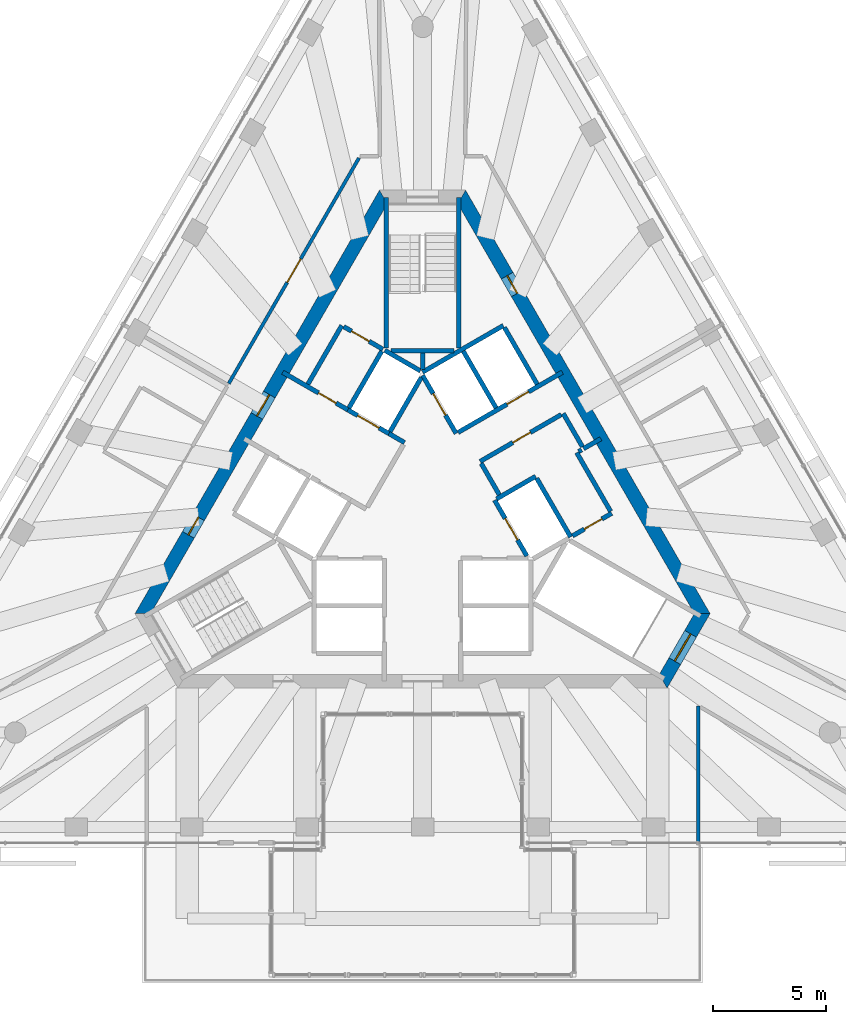
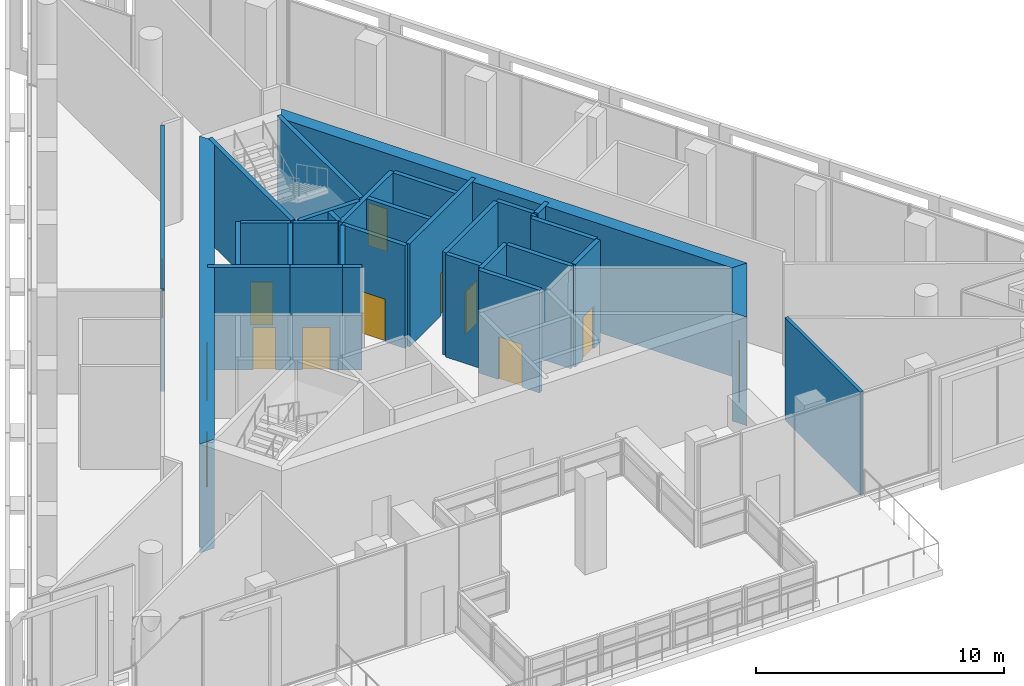
# One storey, part 13 of 17: 32 walls, 13 doors, 13 openings.
"""IFC4 building model written with IfcOpenShell, lengths in metres."""

import ifcopenshell
import ifcopenshell.guid

model = None  # the IFC model being written
_history = None  # IfcOwnerHistory: only IFC2X3 demands one
_inside = {}  # id of a spatial element -> (the spatial element, [elements in it])
_under = {}  # id of a project, library or spatial element -> (it, [spatial elements below it])
_declared = {}  # id of a project -> (the project, [libraries it declares])
_typed = {}  # id of a type object -> (the type object, [elements of that type])
_made_of = {}  # id of a material, layer set ... -> (it, [elements and type objects made of it])


def new_model(schema):
    """Start an empty IFC model of exactly this schema.

    Asked for "IFC4X3", IfcOpenShell would pick the latest addendum, in which some entities
    have other attributes; the version numbers below select the first issue.
    IFC2X3 requires an IfcOwnerHistory on every rooted entity: one is made here for all.
    """
    global model, _history
    if schema == "IFC4X3":
        model = ifcopenshell.file(schema_version=(4, 3, 0, 0))
    else:
        model = ifcopenshell.file(schema=schema)
    _inside.clear()
    _under.clear()
    _declared.clear()
    _typed.clear()
    _made_of.clear()
    _history = None
    if model.schema == "IFC2X3":
        org = make("IfcOrganization", Name="unknown")
        user = make(
            "IfcPersonAndOrganization",
            ThePerson=make("IfcPerson", FamilyName="unknown"),
            TheOrganization=org,
        )
        app = make(
            "IfcApplication",
            ApplicationDeveloper=org,
            Version="unknown",
            ApplicationFullName="unknown",
            ApplicationIdentifier="unknown",
        )
        _history = make(
            "IfcOwnerHistory",
            OwningUser=user,
            OwningApplication=app,
            ChangeAction="ADDED",
            CreationDate=0,
        )
    return model


def make(cls, **values):
    """One entity of the class cls with the attributes given. An attribute that is None is left unset."""
    return model.create_entity(
        cls, **{name: value for name, value in values.items() if value is not None}
    )


def rooted(cls, **values):
    """An entity with a GlobalId (a new one), such as an element, a storey or a relation."""
    return make(cls, GlobalId=ifcopenshell.guid.new(), OwnerHistory=_history, **values)


def si_unit(unit_type, name, prefix=None):
    """IfcSIUnit, for example si_unit("LENGTHUNIT", "METRE", prefix="MILLI")."""
    return make("IfcSIUnit", UnitType=unit_type, Prefix=prefix, Name=name)


def assignment(units):
    """IfcUnitAssignment: the units of a project."""
    return None if units is None else make("IfcUnitAssignment", Units=units)


def point(xyz):
    """IfcCartesianPoint."""
    return None if xyz is None else make("IfcCartesianPoint", Coordinates=xyz)


def direction(xyz):
    """IfcDirection."""
    return None if xyz is None else make("IfcDirection", DirectionRatios=xyz)


def frame(location, z_axis=None, x_axis=None):
    """IfcAxis2Placement3D, a coordinate frame: its origin and axes. An axis left out is left unset."""
    return make(
        "IfcAxis2Placement3D",
        Location=point(location),
        Axis=direction(z_axis),
        RefDirection=direction(x_axis),
    )


def frame_2d(location, x_axis=None):
    """IfcAxis2Placement2D, a coordinate frame in the plane: its origin and x axis."""
    return make(
        "IfcAxis2Placement2D", Location=point(location), RefDirection=direction(x_axis)
    )


def origin():
    """The frame at (0, 0, 0) with its axes left unset."""
    return frame((0.0, 0.0, 0.0))


def place(relative_to, where):
    """IfcLocalPlacement: puts the frame where relative to a parent placement (None: the world)."""
    return make(
        "IfcLocalPlacement", PlacementRelTo=relative_to, RelativePlacement=where
    )


def context(
    kind, dimensions, precision=None, world=None, true_north=None, identifier=None
):
    """IfcGeometricRepresentationContext, for example the 3D "Model" context."""
    return make(
        "IfcGeometricRepresentationContext",
        ContextIdentifier=identifier,
        ContextType=kind,
        CoordinateSpaceDimension=dimensions,
        Precision=precision,
        WorldCoordinateSystem=world,
        TrueNorth=true_north,
    )


def subcontext(parent, identifier, kind, view, scale=None):
    """IfcGeometricRepresentationSubContext, for example "Body" below "Model"."""
    return make(
        "IfcGeometricRepresentationSubContext",
        ContextIdentifier=identifier,
        ContextType=kind,
        ParentContext=parent,
        TargetScale=scale,
        TargetView=view,
    )


def project(units=None, contexts=None):
    """IfcProject with its units and contexts."""
    return rooted(
        "IfcProject",
        Name="project",
        RepresentationContexts=contexts,
        UnitsInContext=assignment(units),
    )


def spatial(cls, under=None, at=None, **own):
    """A site, building, storey or space (cls), placed at a placement, below another one or the project."""
    s = rooted(cls, ObjectPlacement=at, **own)
    if under is not None:
        _under.setdefault(under.id(), (under, []))[1].append(s)
    return s


def polyline(points):
    """IfcPolyline through the points."""
    return make("IfcPolyline", Points=[point(p) for p in points])


def profile(cls, at=None, kind="AREA", **sizes):
    """A parametric profile (cls). Its sizes go by their IFC names, for example OverallWidth=200.0."""
    return make(cls, ProfileType=kind, Position=at, **sizes)


def rectangle(**sizes):
    """IfcRectangleProfileDef."""
    return profile("IfcRectangleProfileDef", **sizes)


def outline(outer, holes=None, kind="AREA"):
    """IfcArbitraryClosedProfileDef: a profile drawn as a closed curve; with holes, ...WithVoids."""
    if holes is None:
        return make("IfcArbitraryClosedProfileDef", ProfileType=kind, OuterCurve=outer)
    return make(
        "IfcArbitraryProfileDefWithVoids",
        ProfileType=kind,
        OuterCurve=outer,
        InnerCurves=holes,
    )


def extrude(swept, where, along, depth):
    """IfcExtrudedAreaSolid: the profile swept, set in the frame where, extruded along a direction by depth."""
    return make(
        "IfcExtrudedAreaSolid",
        SweptArea=swept,
        Position=where,
        ExtrudedDirection=direction(along),
        Depth=depth,
    )


def shape(context_of_items, identifier, shape_type, items):
    """IfcShapeRepresentation: the items that make up one representation, for example the "Body"."""
    return make(
        "IfcShapeRepresentation",
        ContextOfItems=context_of_items,
        RepresentationIdentifier=identifier,
        RepresentationType=shape_type,
        Items=items,
    )


def material(Name=None, Category=None):
    """IfcMaterial."""
    return make("IfcMaterial", Name=Name, Category=Category)


def layer(
    of_material, thickness, ventilated=None, Name=None, Category=None, Priority=None
):
    """IfcMaterialLayer: one layer of a wall or slab, of a material (None: an air gap)."""
    return make(
        "IfcMaterialLayer",
        Material=of_material,
        LayerThickness=thickness,
        IsVentilated=ventilated,
        Name=Name,
        Category=Category,
        Priority=Priority,
    )


def layer_set(layers, Name=None):
    """IfcMaterialLayerSet."""
    return make("IfcMaterialLayerSet", MaterialLayers=layers, LayerSetName=Name)


def made_of(thing, what):
    """Note that an element or type object is made of a material, layer set ...; save() writes the relation."""
    if what is not None:
        _made_of.setdefault(what.id(), (what, []))[1].append(thing)
    return thing


def type_object(cls, material=None, **own):
    """A type object (cls), such as IfcWallType, which elements share."""
    return made_of(rooted(cls, **own), material)


def element(
    cls,
    number,
    at=None,
    inside=None,
    cuts=None,
    type_object=None,
    material=None,
    context=None,
    identifier="Body",
    shape_type=None,
    held_by="IfcProductDefinitionShape",
    body=None,
    shapes=None,
    **own,
):
    """One element of the class cls, such as IfcWall. Its Tag is "e" and its number.

    at: its placement. inside: the storey or other place that contains it. cuts: it is an
    opening in that element (IfcRelVoidsElement). A single representation is given by context,
    identifier, shape_type and body (its items); several are given by shapes. held_by: the class
    of the entity that holds the representations. save() writes the other relations.
    """
    e = rooted(cls, Tag="e%d" % number, ObjectPlacement=at, **own)
    if body is not None:
        shapes = [shape(context, identifier, shape_type, body)]
    if shapes is not None:
        e.Representation = make(held_by, Representations=shapes)
    if inside is not None:
        _inside.setdefault(inside.id(), (inside, []))[1].append(e)
    if cuts is not None:
        rooted(
            "IfcRelVoidsElement", RelatingBuildingElement=cuts, RelatedOpeningElement=e
        )
    if type_object is not None:
        _typed.setdefault(type_object.id(), (type_object, []))[1].append(e)
    return made_of(e, material)


def fill(opening, filler):
    """IfcRelFillsElement: the door or window that sits in an opening."""
    return rooted(
        "IfcRelFillsElement",
        RelatingOpeningElement=opening,
        RelatedBuildingElement=filler,
    )


def aggregate(whole, parts):
    """IfcRelAggregates: a whole, such as a stair, and the parts it consists of."""
    return rooted("IfcRelAggregates", RelatingObject=whole, RelatedObjects=parts)


def save(model, path):
    """Write the relations noted so far, then the file.

    IfcRelAggregates (storeys below a building ...), IfcRelContainedInSpatialStructure (elements
    in a storey), IfcRelDefinesByType, IfcRelAssociatesMaterial and IfcRelDeclares: one each for
    every whole, place, type object, material and project.
    """
    for whole, parts in _under.values():
        aggregate(whole, parts)
    for where, things in _inside.values():
        rooted(
            "IfcRelContainedInSpatialStructure",
            RelatedElements=things,
            RelatingStructure=where,
        )
    for kind, things in _typed.values():
        rooted("IfcRelDefinesByType", RelatedObjects=things, RelatingType=kind)
    for what, things in _made_of.values():
        rooted("IfcRelAssociatesMaterial", RelatedObjects=things, RelatingMaterial=what)
    for by, libraries in _declared.values():
        rooted("IfcRelDeclares", RelatingContext=by, RelatedDefinitions=libraries)
    model.write(path)


model = new_model("IFC4")

# Units and contexts
model_context = context("Model", 3, precision=1e-05, world=origin(), true_north=direction((0.0, 1.0)))
body_context = subcontext(model_context, "Body", "Model", "MODEL_VIEW")
ifc_project = project(units=[si_unit("LENGTHUNIT", "METRE"), si_unit("AREAUNIT", "SQUARE_METRE"), si_unit("VOLUMEUNIT", "CUBIC_METRE"), si_unit("PLANEANGLEUNIT", "RADIAN"), si_unit("MASSUNIT", "GRAM", prefix="KILO")], contexts=[model_context])

# Site, building, storey
site_placement = place(None, origin())
site = spatial("IfcSite", under=ifc_project, at=site_placement, CompositionType="ELEMENT")
building_placement = place(site_placement, origin())
building = spatial("IfcBuilding", under=site, at=building_placement, Name="Triada Interchange Tower", CompositionType="ELEMENT")
storey_placement = place(building_placement, frame((0.0, 0.0, 322.300048828125)))
storey = spatial("IfcBuildingStorey", under=building, at=storey_placement, Name="L77", CompositionType="ELEMENT", Elevation=322.300048828125)

# Wall
ifc_material_1 = material(Name="Concrete C30/37", Category="concrete")
ifc_layer_1 = layer(ifc_material_1, 0.199951171875)
ifc_layer_set_1 = layer_set([ifc_layer_1], Name="CORE WALL 200 EI 120")
wall_type_1 = type_object("IfcWallType", Name="CORE WALL 200 EI 120", PredefinedType="SOLIDWALL", material=ifc_layer_set_1)
wall_1_placement = place(storey_placement, frame((-0.001953125, 5.5419921875, 0.0), z_axis=(0.0, 0.0, 1.0), x_axis=(0.866103910842, 0.499863997127, 0.0)))
element("IfcWall", 1, at=wall_1_placement, inside=storey, type_object=wall_type_1, Name="Wall L77 34", PredefinedType="SOLIDWALL", context=body_context, shape_type="SweptSolid", body=[
    extrude(rectangle(XDim=4.131103515625, YDim=0.199951171875, at=frame_2d((2.0654296875, 0.0))), origin(), (0.0, 0.0, 1.0), 5.050048828125),
])

# Wall, opening, door
wall_2_placement = place(storey_placement, frame((0.0, 5.39990234375, 0.0), z_axis=(0.0, 0.0, 1.0), x_axis=(0.500103862429, -0.865965430478, 0.0)))
wall_2 = element("IfcWall", 2, at=wall_2_placement, inside=storey, type_object=wall_type_1, Name="Wall L77 35", PredefinedType="SOLIDWALL", context=body_context, shape_type="SweptSolid", body=[
    extrude(rectangle(XDim=2.973388671875, YDim=0.199951171875, at=frame_2d((1.48681640625, 0.0))), origin(), (0.0, 0.0, 1.0), 5.050048828125),
])
opening_1_placement = place(wall_2_placement, frame((0.93701171875, 0.0, 0.0)))
opening_1 = element("IfcOpeningElement", 3, at=opening_1_placement, cuts=wall_2, Name="Opening LD-HR5", PredefinedType="OPENING", context=body_context, shape_type="SweptSolid", body=[
    extrude(rectangle(XDim=1.10009765625, YDim=2.10009765625, at=frame_2d((0.550048828125, 1.050048828125))), frame((0.0, 0.10986328125, 0.0), z_axis=(0.0, -1.0, 0.0), x_axis=(1.0, 0.0, 0.0)), (0.0, 0.0, 1.0), 0.219970703125),
])
ifc_material_2 = material(Name="Steel S235 door leaf", Category="steel")
door_type_1 = type_object("IfcDoorType", Name="LIFT LANDING DOOR 1100 EI 120", OperationType="SLIDING_TO_LEFT", PredefinedType="DOOR", material=ifc_material_2)
door_1_placement = place(opening_1_placement, origin())
door_1 = element("IfcDoor", 4, at=door_1_placement, inside=storey, type_object=door_type_1, Name="HR5 landing door L77", OperationType="SLIDING_TO_LEFT", OverallHeight=2.10009765625, OverallWidth=1.10009765625, PredefinedType="DOOR", context=body_context, shape_type="SweptSolid", body=[
    extrude(rectangle(XDim=1.10009765625, YDim=2.10009765625, at=frame_2d((0.550048828125, 1.050048828125))), frame((0.0, 0.02490234375, 0.0), z_axis=(0.0, -1.0, 0.0), x_axis=(1.0, 0.0, 0.0)), (0.0, 0.0, 1.0), 0.050048828125),
])
fill(opening_1, door_1)

wall_3_placement = place(storey_placement, frame((3.18994140625, -0.125, 0.0), z_axis=(0.0, 0.0, 1.0), x_axis=(0.499988658015, -0.866031951983, 0.0)))
wall_3 = element("IfcWall", 5, at=wall_3_placement, inside=storey, type_object=wall_type_1, Name="Wall L77 36", PredefinedType="SOLIDWALL", context=body_context, shape_type="SweptSolid", body=[
    extrude(rectangle(XDim=2.85791015625, YDim=0.199951171875, at=frame_2d((1.428955078125, 0.0))), origin(), (0.0, 0.0, 1.0), 5.050048828125),
])
opening_2_placement = place(wall_3_placement, frame((0.93603515625, 0.0, 0.0)))
opening_2 = element("IfcOpeningElement", 6, at=opening_2_placement, cuts=wall_3, Name="Opening LD-SH1", PredefinedType="OPENING", context=body_context, shape_type="SweptSolid", body=[
    extrude(rectangle(XDim=1.10009765625, YDim=2.10009765625, at=frame_2d((0.550048828125, 1.050048828125))), frame((0.0, 0.10986328125, 0.0), z_axis=(0.0, -1.0, 0.0), x_axis=(1.0, 0.0, 0.0)), (0.0, 0.0, 1.0), 0.219970703125),
])
door_2_placement = place(opening_2_placement, origin())
door_2 = element("IfcDoor", 7, at=door_2_placement, inside=storey, type_object=door_type_1, Name="SH1 landing door L77", OperationType="SLIDING_TO_LEFT", OverallHeight=2.10009765625, OverallWidth=1.10009765625, PredefinedType="DOOR", context=body_context, shape_type="SweptSolid", body=[
    extrude(rectangle(XDim=1.10009765625, YDim=2.10009765625, at=frame_2d((0.550048828125, 1.050048828125))), frame((0.0, 0.02490234375, 0.0), z_axis=(0.0, -1.0, 0.0), x_axis=(1.0, 0.0, 0.0)), (0.0, 0.0, 1.0), 0.050048828125),
])
fill(opening_2, door_2)

wall_4_placement = place(storey_placement, frame((1.577880859375, 2.8740234375, 0.0), z_axis=(0.0, 0.0, 1.0), x_axis=(0.866045911672, 0.499964477614, 0.0)))
wall_4 = element("IfcWall", 8, at=wall_4_placement, inside=storey, type_object=wall_type_1, Name="Wall L77 37", PredefinedType="SOLIDWALL", context=body_context, shape_type="SweptSolid", body=[
    extrude(rectangle(XDim=5.32666015625, YDim=0.199951171875, at=frame_2d((2.663330078125, 0.0))), origin(), (0.0, 0.0, 1.0), 5.050048828125),
])
opening_3_placement = place(wall_4_placement, frame((2.49609375, 0.0, 0.0)))
opening_3 = element("IfcOpeningElement", 9, at=opening_3_placement, cuts=wall_4, Name="Opening LD-HR6", PredefinedType="OPENING", context=body_context, shape_type="SweptSolid", body=[
    extrude(rectangle(XDim=1.10009765625, YDim=2.10009765625, at=frame_2d((0.550048828125, 1.050048828125))), frame((0.0, 0.10986328125, 0.0), z_axis=(0.0, -1.0, 0.0), x_axis=(1.0, 0.0, 0.0)), (0.0, 0.0, 1.0), 0.219970703125),
])
door_3_placement = place(opening_3_placement, origin())
door_3 = element("IfcDoor", 10, at=door_3_placement, inside=storey, type_object=door_type_1, Name="HR6 landing door L77", OperationType="SLIDING_TO_LEFT", OverallHeight=2.10009765625, OverallWidth=1.10009765625, PredefinedType="DOOR", context=body_context, shape_type="SweptSolid", body=[
    extrude(rectangle(XDim=1.10009765625, YDim=2.10009765625, at=frame_2d((0.550048828125, 1.050048828125))), frame((0.0, 0.02490234375, 0.0), z_axis=(0.0, -1.0, 0.0), x_axis=(1.0, 0.0, 0.0)), (0.0, 0.0, 1.0), 0.050048828125),
])
fill(opening_3, door_3)

# Walls
wall_5_placement = place(storey_placement, frame((3.278076171875, -0.071044921875, 0.0), z_axis=(0.0, 0.0, 1.0), x_axis=(0.865855657918, 0.500293893279, 0.0)))
element("IfcWall", 11, at=wall_5_placement, inside=storey, type_object=wall_type_1, Name="Wall L77 40", PredefinedType="SOLIDWALL", context=body_context, shape_type="SweptSolid", body=[
    extrude(rectangle(XDim=1.996826171875, YDim=0.199951171875, at=frame_2d((0.99853515625, 0.0))), origin(), (0.0, 0.0, 1.0), 5.050048828125),
])
wall_6_placement = place(storey_placement, frame((7.12890625, 2.153076171875, 0.0), z_axis=(0.0, 0.0, 1.0), x_axis=(0.866083962871, 0.499898558967, 0.0)))
element("IfcWall", 12, at=wall_6_placement, inside=storey, type_object=wall_type_1, Name="Wall L77 41", PredefinedType="SOLIDWALL", context=body_context, shape_type="SweptSolid", body=[
    extrude(rectangle(XDim=0.880126953125, YDim=0.199951171875, at=frame_2d((0.43994140625, 0.0))), origin(), (0.0, 0.0, 1.0), 5.050048828125),
])
for number, where, z_axis, x_axis, name in (
    (13, (3.6259765625, 7.52001953125, 0.0), (0.0, 0.0, 1.0), (0.500060147554, -0.865990674793, 0.0), "Wall L77 42"),
    (14, (1.806884765625, 6.469970703125, 0.0), (0.0, 0.0, 1.0), (0.50012328804, -0.865954211699, 0.0), "Wall L77 43"),
):
    element("IfcWall", number, at=place(storey_placement, frame(where, z_axis=z_axis, x_axis=x_axis)), inside=storey, type_object=wall_type_1, Name=name, PredefinedType="SOLIDWALL", context=body_context, shape_type="SweptSolid", body=[
        extrude(rectangle(XDim=2.899658203125, YDim=0.199951171875, at=frame_2d((1.44970703125, 0.0))), origin(), (0.0, 0.0, 1.0), 5.050048828125),
    ])
wall_7_placement = place(storey_placement, frame((5.056884765625, 0.841064453125, 0.0), z_axis=(0.0, 0.0, 1.0), x_axis=(0.499990139034, -0.866031096941, 0.0)))
element("IfcWall", 15, at=wall_7_placement, inside=storey, type_object=wall_type_1, Name="Wall L77 44", PredefinedType="SOLIDWALL", context=body_context, shape_type="SweptSolid", body=[
    extrude(rectangle(XDim=3.0, YDim=0.199951171875, at=frame_2d((1.5, 0.0))), origin(), (0.0, 0.0, 1.0), 5.050048828125),
])
wall_8_placement = place(storey_placement, frame((6.22900390625, 3.7119140625, 0.0), z_axis=(0.0, 0.0, 1.0), x_axis=(0.499875724984, -0.86609714211, 0.0)))
element("IfcWall", 16, at=wall_8_placement, inside=storey, type_object=wall_type_1, Name="Wall L77 46", PredefinedType="SOLIDWALL", context=body_context, shape_type="SweptSolid", body=[
    extrude(rectangle(XDim=1.70068359375, YDim=0.199951171875, at=frame_2d((0.850341796875, 0.0))), origin(), (0.0, 0.0, 1.0), 5.050048828125),
])

# Wall, opening, door
wall_9_placement = place(storey_placement, frame((2.548095703125, 1.5869140625, 0.0), z_axis=(0.0, 0.0, 1.0), x_axis=(0.866004344652, 0.500036473714, 0.0)))
wall_9 = element("IfcWall", 17, at=wall_9_placement, inside=storey, type_object=wall_type_1, Name="Wall L77 47", PredefinedType="SOLIDWALL", context=body_context, shape_type="SweptSolid", body=[
    extrude(rectangle(XDim=4.150146484375, YDim=0.199951171875, at=frame_2d((2.0751953125, 0.0))), origin(), (0.0, 0.0, 1.0), 5.050048828125),
])
opening_4_placement = place(wall_9_placement, frame((1.675048828125, 0.0, 0.0)))
opening_4 = element("IfcOpeningElement", 18, at=opening_4_placement, cuts=wall_9, Name="Opening D77-30", PredefinedType="OPENING", context=body_context, shape_type="SweptSolid", body=[
    extrude(rectangle(XDim=0.89990234375, YDim=2.10009765625, at=frame_2d((0.449951171875, 1.050048828125))), frame((0.0, 0.10986328125, 0.0), z_axis=(0.0, -1.0, 0.0), x_axis=(1.0, 0.0, 0.0)), (0.0, 0.0, 1.0), 0.219970703125),
])
door_type_2 = type_object("IfcDoorType", Name="SERVICE DOOR 900 EI2 45-C5S200", OperationType="NOTDEFINED", PredefinedType="DOOR", material=ifc_material_2)
door_4_placement = place(opening_4_placement, origin())
door_4 = element("IfcDoor", 19, at=door_4_placement, inside=storey, type_object=door_type_2, Name="Door D77-30 L77", OperationType="SINGLE_SWING_RIGHT", OverallHeight=2.10009765625, OverallWidth=0.89990234375, PredefinedType="DOOR", context=body_context, shape_type="SweptSolid", body=[
    extrude(rectangle(XDim=0.89990234375, YDim=2.10009765625, at=frame_2d((0.449951171875, 1.050048828125))), frame((0.0, 0.02490234375, 0.0), z_axis=(0.0, -1.0, 0.0), x_axis=(1.0, 0.0, 0.0)), (0.0, 0.0, 1.0), 0.050048828125),
])
fill(opening_4, door_4)

# Wall
wall_10_placement = place(storey_placement, frame((2.597900390625, 1.5, 0.0), z_axis=(0.0, 0.0, 1.0), x_axis=(0.499929347863, -0.866066190972, 0.0)))
element("IfcWall", 20, at=wall_10_placement, inside=storey, type_object=wall_type_1, Name="Wall L77 48", PredefinedType="SOLIDWALL", context=body_context, shape_type="SweptSolid", body=[
    extrude(rectangle(XDim=1.600341796875, YDim=0.199951171875, at=frame_2d((0.80029296875, 0.0))), origin(), (0.0, 0.0, 1.0), 5.050048828125),
])

# Wall, opening, door
ifc_layer_2 = layer(ifc_material_1, 0.199951171875)
ifc_layer_set_2 = layer_set([ifc_layer_2], Name="CORE WALL 200 EI 180")
wall_type_2 = type_object("IfcWallType", Name="CORE WALL 200 EI 180", PredefinedType="SOLIDWALL", material=ifc_layer_set_2)
wall_11_placement = place(storey_placement, frame((-6.19091796875, 5.537109375, 0.0), z_axis=(0.0, 0.0, 1.0), x_axis=(0.866052607023, -0.499952879648, 0.0)))
wall_11 = element("IfcWall", 21, at=wall_11_placement, inside=storey, type_object=wall_type_2, Name="Wall L77 51", PredefinedType="SOLIDWALL", context=body_context, shape_type="SweptSolid", body=[
    extrude(rectangle(XDim=3.332275390625, YDim=0.199951171875, at=frame_2d((1.666015625, 0.0))), origin(), (0.0, 0.0, 1.0), 5.050048828125),
])
opening_5_placement = place(wall_11_placement, frame((1.830078125, 0.0, 0.0)))
opening_5 = element("IfcOpeningElement", 22, at=opening_5_placement, cuts=wall_11, Name="Opening D77-11", PredefinedType="OPENING", context=body_context, shape_type="SweptSolid", body=[
    extrude(rectangle(XDim=0.89990234375, YDim=2.10009765625, at=frame_2d((0.449951171875, 1.050048828125))), frame((0.0, 0.10986328125, 0.0), z_axis=(0.0, -1.0, 0.0), x_axis=(1.0, 0.0, 0.0)), (0.0, 0.0, 1.0), 0.219970703125),
])
door_type_3 = type_object("IfcDoorType", Name="SERVICE DOOR 900 EI2 90-C5S200", OperationType="NOTDEFINED", PredefinedType="DOOR", material=ifc_material_2)
door_5_placement = place(opening_5_placement, origin())
door_5 = element("IfcDoor", 23, at=door_5_placement, inside=storey, type_object=door_type_3, Name="Door D77-11 L77", OperationType="SINGLE_SWING_LEFT", OverallHeight=2.10009765625, OverallWidth=0.89990234375, PredefinedType="DOOR", context=body_context, shape_type="SweptSolid", body=[
    extrude(rectangle(XDim=0.89990234375, YDim=2.10009765625, at=frame_2d((0.449951171875, 1.050048828125))), frame((0.0, 0.02490234375, 0.0), z_axis=(0.0, -1.0, 0.0), x_axis=(1.0, 0.0, 0.0)), (0.0, 0.0, 1.0), 0.050048828125),
])
fill(opening_5, door_5)

# Walls
wall_12_placement = place(storey_placement, frame((-1.488037109375, 2.822021484375, 0.0), z_axis=(0.0, 0.0, 1.0), x_axis=(0.866236612152, -0.499633997809, 0.0)))
element("IfcWall", 24, at=wall_12_placement, inside=storey, type_object=wall_type_2, Name="Wall L77 52", PredefinedType="SOLIDWALL", context=body_context, shape_type="SweptSolid", body=[
    extrude(rectangle(XDim=0.79638671875, YDim=0.199951171875, at=frame_2d((0.398193359375, 0.0))), origin(), (0.0, 0.0, 1.0), 5.050048828125),
])
wall_13_placement = place(storey_placement, frame((-5.075927734375, 5.009033203125, 0.0), z_axis=(0.0, 0.0, 1.0), x_axis=(0.50002537861, 0.866010750942, 0.0)))
element("IfcWall", 25, at=wall_13_placement, inside=storey, type_object=wall_type_2, Name="Wall L77 53", PredefinedType="SOLIDWALL", context=body_context, shape_type="SweptSolid", body=[
    extrude(rectangle(XDim=2.999755859375, YDim=0.199951171875, at=frame_2d((1.5, 0.0))), origin(), (0.0, 0.0, 1.0), 5.050048828125),
])

# Wall, opening, door
wall_14_placement = place(storey_placement, frame((-3.489013671875, 7.556884765625, 0.0), z_axis=(0.0, 0.0, 1.0), x_axis=(0.866010750942, -0.50002537861, 0.0)))
wall_14 = element("IfcWall", 26, at=wall_14_placement, inside=storey, type_object=wall_type_2, Name="Wall L77 54", PredefinedType="SOLIDWALL", context=body_context, shape_type="SweptSolid", body=[
    extrude(rectangle(XDim=2.0, YDim=0.199951171875, at=frame_2d((1.0, 0.0))), origin(), (0.0, 0.0, 1.0), 5.050048828125),
])
opening_6_placement = place(wall_14_placement, frame((0.40087890625, 0.0, 0.0)))
opening_6 = element("IfcOpeningElement", 27, at=opening_6_placement, cuts=wall_14, Name="Opening D77-27", PredefinedType="OPENING", context=body_context, shape_type="SweptSolid", body=[
    extrude(rectangle(XDim=0.89990234375, YDim=2.10009765625, at=frame_2d((0.449951171875, 1.050048828125))), frame((0.0, 0.10986328125, 0.0), z_axis=(0.0, -1.0, 0.0), x_axis=(1.0, 0.0, 0.0)), (0.0, 0.0, 1.0), 0.219970703125),
])
door_6_placement = place(opening_6_placement, origin())
door_6 = element("IfcDoor", 28, at=door_6_placement, inside=storey, type_object=door_type_2, Name="Door D77-27 L77", OperationType="SINGLE_SWING_LEFT", OverallHeight=2.10009765625, OverallWidth=0.89990234375, PredefinedType="DOOR", context=body_context, shape_type="SweptSolid", body=[
    extrude(rectangle(XDim=0.89990234375, YDim=2.10009765625, at=frame_2d((0.449951171875, 1.050048828125))), frame((0.0, 0.02490234375, 0.0), z_axis=(0.0, -1.0, 0.0), x_axis=(1.0, 0.0, 0.0)), (0.0, 0.0, 1.0), 0.050048828125),
])
fill(opening_6, door_6)

wall_15_placement = place(storey_placement, frame((-3.30908203125, 3.873046875, 0.0), z_axis=(0.0, 0.0, 1.0), x_axis=(0.866098583652, -0.499873227325, 0.0)))
wall_15 = element("IfcWall", 29, at=wall_15_placement, inside=storey, type_object=wall_type_2, Name="Shaft wall FF2 L77 60", PredefinedType="SOLIDWALL", context=body_context, shape_type="SweptSolid", body=[
    extrude(rectangle(XDim=2.1025390625, YDim=0.199951171875, at=frame_2d((1.05126953125, 0.0))), origin(), (0.0, 0.0, 1.0), 5.050048828125),
])
opening_7_placement = place(wall_15_placement, frame((0.501953125, 0.0, 0.0)))
opening_7 = element("IfcOpeningElement", 30, at=opening_7_placement, cuts=wall_15, Name="Opening LD-FF2", PredefinedType="OPENING", context=body_context, shape_type="SweptSolid", body=[
    extrude(rectangle(XDim=1.10009765625, YDim=2.10009765625, at=frame_2d((0.550048828125, 1.050048828125))), frame((0.0, 0.10986328125, 0.0), z_axis=(0.0, -1.0, 0.0), x_axis=(1.0, 0.0, 0.0)), (0.0, 0.0, 1.0), 0.219970703125),
])
door_7_placement = place(opening_7_placement, origin())
door_7 = element("IfcDoor", 31, at=door_7_placement, inside=storey, type_object=door_type_1, Name="FF2 landing door L77", OperationType="SLIDING_TO_LEFT", OverallHeight=2.10009765625, OverallWidth=1.10009765625, PredefinedType="DOOR", context=body_context, shape_type="SweptSolid", body=[
    extrude(rectangle(XDim=1.10009765625, YDim=2.10009765625, at=frame_2d((0.550048828125, 1.050048828125))), frame((0.0, 0.02490234375, 0.0), z_axis=(0.0, -1.0, 0.0), x_axis=(1.0, 0.0, 0.0)), (0.0, 0.0, 1.0), 0.050048828125),
])
fill(opening_7, door_7)

# Walls
wall_16_placement = place(storey_placement, frame((-3.257080078125, 3.958984375, 0.0), z_axis=(0.0, 0.0, 1.0), x_axis=(0.50012328804, 0.865954211699, 0.0)))
element("IfcWall", 32, at=wall_16_placement, inside=storey, type_object=wall_type_2, Name="Shaft wall FF2 L77 61", PredefinedType="SOLIDWALL", context=body_context, shape_type="SweptSolid", body=[
    extrude(rectangle(XDim=2.899658203125, YDim=0.199951171875, at=frame_2d((1.44970703125, 0.0))), origin(), (0.0, 0.0, 1.0), 5.050048828125),
])
wall_17_placement = place(storey_placement, frame((-1.669921875, 6.507080078125, 0.0), z_axis=(0.0, 0.0, 1.0), x_axis=(0.865941441609, -0.500145398563, 0.0)))
element("IfcWall", 33, at=wall_17_placement, inside=storey, type_object=wall_type_2, Name="Shaft wall FF2 L77 62", PredefinedType="SOLIDWALL", context=body_context, shape_type="SweptSolid", body=[
    extrude(rectangle(XDim=1.8154296875, YDim=0.199951171875, at=frame_2d((0.90771484375, 0.0))), origin(), (0.0, 0.0, 1.0), 5.050048828125),
])
wall_18_placement = place(storey_placement, frame((-1.43798828125, 2.908935546875, 0.0), z_axis=(0.0, 0.0, 1.0), x_axis=(0.499829630636, 0.866123744241, 0.0)))
element("IfcWall", 34, at=wall_18_placement, inside=storey, type_object=wall_type_2, Name="Shaft wall FF2 L77 63", PredefinedType="SOLIDWALL", context=body_context, shape_type="SweptSolid", body=[
    extrude(rectangle(XDim=2.7607421875, YDim=0.199951171875, at=frame_2d((1.38037109375, 0.0))), origin(), (0.0, 0.0, 1.0), 5.050048828125),
])
ifc_layer_3 = layer(ifc_material_1, 0.199951171875)
ifc_layer_set_3 = layer_set([ifc_layer_3], Name="CORE WALL 200 EI 90")
wall_type_3 = type_object("IfcWallType", Name="CORE WALL 200 EI 90", PredefinedType="SOLIDWALL", material=ifc_layer_set_3)
wall_19_placement = place(storey_placement, frame((0.0, 5.657958984375, 0.0), z_axis=(0.0, 0.0, 1.0), x_axis=(0.0, 1.0, 0.0)))
element("IfcWall", 35, at=wall_19_placement, inside=storey, type_object=wall_type_3, Name="Wall L77 64", PredefinedType="SOLIDWALL", context=body_context, shape_type="SweptSolid", body=[
    extrude(rectangle(XDim=0.741943359375, YDim=0.199951171875, at=frame_2d((0.37109375, 0.0))), origin(), (0.0, 0.0, 1.0), 5.050048828125),
])

# Wall, opening, door
wall_20_placement = place(storey_placement, frame((6.64208984375, -1.7080078125, 0.0), z_axis=(0.0, 0.0, 1.0), x_axis=(0.866043441391, 0.499968756647, 0.0)))
wall_20 = element("IfcWall", 36, at=wall_20_placement, inside=storey, type_object=wall_type_3, Name="Wall L77 65", PredefinedType="SOLIDWALL", context=body_context, shape_type="SweptSolid", body=[
    extrude(rectangle(XDim=2.002197265625, YDim=0.199951171875, at=frame_2d((1.0009765625, 0.0))), origin(), (0.0, 0.0, 1.0), 5.050048828125),
])
opening_8_placement = place(wall_20_placement, frame((0.60107421875, 0.0, 0.0)))
opening_8 = element("IfcOpeningElement", 37, at=opening_8_placement, cuts=wall_20, Name="Opening D77-29", PredefinedType="OPENING", context=body_context, shape_type="SweptSolid", body=[
    extrude(rectangle(XDim=0.89990234375, YDim=2.10009765625, at=frame_2d((0.449951171875, 1.050048828125))), frame((0.0, 0.10986328125, 0.0), z_axis=(0.0, -1.0, 0.0), x_axis=(1.0, 0.0, 0.0)), (0.0, 0.0, 1.0), 0.219970703125),
])
door_8_placement = place(opening_8_placement, origin())
door_8 = element("IfcDoor", 38, at=door_8_placement, inside=storey, type_object=door_type_2, Name="Door D77-29 L77", OperationType="SINGLE_SWING_LEFT", OverallHeight=2.10009765625, OverallWidth=0.89990234375, PredefinedType="DOOR", context=body_context, shape_type="SweptSolid", body=[
    extrude(rectangle(XDim=0.89990234375, YDim=2.10009765625, at=frame_2d((0.449951171875, 1.050048828125))), frame((0.0, 0.02490234375, 0.0), z_axis=(0.0, -1.0, 0.0), x_axis=(1.0, 0.0, 0.0)), (0.0, 0.0, 1.0), 0.050048828125),
])
fill(opening_8, door_8)

# Walls
wall_21_placement = place(storey_placement, frame((6.825927734375, 1.97802734375, 0.0), z_axis=(0.0, 0.0, 1.0), x_axis=(0.499990139034, -0.866031096941, 0.0)))
element("IfcWall", 39, at=wall_21_placement, inside=storey, type_object=wall_type_3, Name="Wall L77 66", PredefinedType="SOLIDWALL", context=body_context, shape_type="SweptSolid", body=[
    extrude(rectangle(XDim=3.0, YDim=0.199951171875, at=frame_2d((1.5, 0.0))), origin(), (0.0, 0.0, 1.0), 5.050048828125),
])
wall_22_placement = place(storey_placement, frame((6.912109375, 2.028076171875, 0.0), z_axis=(0.0, 0.0, 1.0), x_axis=(0.866559367082, 0.499074005857, 0.0)))
element("IfcWall", 40, at=wall_22_placement, inside=storey, type_object=wall_type_3, Name="Wall L77 67", PredefinedType="SOLIDWALL", context=body_context, shape_type="SweptSolid", body=[
    extrude(rectangle(XDim=0.152099609375, YDim=0.199951171875, at=frame_2d((0.076171875, 0.0))), origin(), (0.0, 0.0, 1.0), 5.050048828125),
])
ifc_layer_4 = layer(ifc_material_1, 0.199951171875)
ifc_layer_set_4 = layer_set([ifc_layer_4], Name="CORE WALL 200 REI 240")
wall_type_4 = type_object("IfcWallType", Name="CORE WALL 200 REI 240", PredefinedType="SOLIDWALL", material=ifc_layer_set_4)
wall_23_placement = place(storey_placement, frame((1.60009765625, 6.614990234375, 0.0), z_axis=(0.0, 0.0, 1.0), x_axis=(0.0, 1.0, 0.0)))
element("IfcWall", 41, at=wall_23_placement, inside=storey, type_object=wall_type_4, Name="Wall L77 71", PredefinedType="SOLIDWALL", context=body_context, shape_type="SweptSolid", body=[
    extrude(rectangle(XDim=6.6650390625, YDim=0.199951171875, at=frame_2d((3.33251953125, 0.0))), origin(), (0.0, 0.0, 1.0), 5.050048828125),
])
wall_24_placement = place(storey_placement, frame((-1.39990234375, 6.5, 0.0), z_axis=(0.0, 0.0, 1.0), x_axis=(1.0, 0.0, 0.0)))
element("IfcWall", 42, at=wall_24_placement, inside=storey, type_object=wall_type_4, Name="Wall L77 72", PredefinedType="SOLIDWALL", context=body_context, shape_type="SweptSolid", body=[
    extrude(rectangle(XDim=2.7998046875, YDim=0.199951171875, at=frame_2d((1.39990234375, 0.0))), origin(), (0.0, 0.0, 1.0), 5.050048828125),
])
wall_25_placement = place(storey_placement, frame((-1.60009765625, 6.614990234375, 0.0), z_axis=(0.0, 0.0, 1.0), x_axis=(0.0, 1.0, 0.0)))
element("IfcWall", 43, at=wall_25_placement, inside=storey, type_object=wall_type_4, Name="Wall L77 73", PredefinedType="SOLIDWALL", context=body_context, shape_type="SweptSolid", body=[
    extrude(rectangle(XDim=6.6650390625, YDim=0.199951171875, at=frame_2d((3.33251953125, 0.0))), origin(), (0.0, 0.0, 1.0), 5.050048828125),
])

# Wall, openings, doors
ifc_material_3 = material(Name="Concrete C40/50", Category="concrete")
ifc_layer_5 = layer(ifc_material_3, 0.60009765625)
ifc_layer_set_5 = layer_set([ifc_layer_5], Name="Core wall D 600")
wall_type_5 = type_object("IfcWallType", Name="Core wall D 600", PredefinedType="SHEAR", material=ifc_layer_set_5)
wall_26_placement = place(storey_placement, frame((-1.73193359375, 13.300048828125, -0.300048828125), z_axis=(0.0, 0.0, 1.0), x_axis=(-0.500000539815, -0.866025092122, 0.0)))
wall_26 = element("IfcWall", 44, at=wall_26_placement, inside=storey, type_object=wall_type_5, Name="Core wall WD02 L77", PredefinedType="SHEAR", context=body_context, shape_type="SweptSolid", body=[
    extrude(outline(polyline([(-0.173095703125, -0.300048828125), (1.795166015625, -0.300048828125), (3.763427734375, -0.30029296875), (5.731689453125, -0.30029296875), (7.699951171875, -0.30029296875), (9.668212890625, -0.300537109375), (11.63671875, -0.300537109375), (13.60498046875, -0.30078125), (15.5732421875, -0.30078125), (17.54150390625, -0.30078125), (19.509765625, -0.301025390625), (21.47802734375, -0.301025390625), (21.131103515625, 0.300048828125), (19.225830078125, 0.300048828125), (17.320556640625, 0.300048828125), (15.415283203125, 0.300048828125), (13.510009765625, 0.300048828125), (11.604736328125, 0.300048828125), (9.699462890625, 0.300048828125), (7.794189453125, 0.300048828125), (5.888916015625, 0.300048828125), (3.983642578125, 0.300048828125), (2.078369140625, 0.300048828125), (0.173095703125, 0.300048828125), (-0.173095703125, -0.300048828125)])), origin(), (0.0, 0.0, 1.0), 5.35009765625),
])
opening_9_placement = place(wall_26_placement, frame((10.10205078125, 0.0, 0.300048828125)))
opening_9 = element("IfcOpeningElement", 45, at=opening_9_placement, cuts=wall_26, Name="Opening D77-24", PredefinedType="OPENING", context=body_context, shape_type="SweptSolid", body=[
    extrude(rectangle(XDim=1.10009765625, YDim=2.10009765625, at=frame_2d((0.550048828125, 1.050048828125))), frame((0.0, 0.31005859375, 0.0), z_axis=(0.0, -1.0, 0.0), x_axis=(1.0, 0.0, 0.0)), (0.0, 0.0, 1.0), 0.62109375),
])
opening_10_placement = place(wall_26_placement, frame((16.3779296875, 0.0, 0.300048828125)))
opening_10 = element("IfcOpeningElement", 46, at=opening_10_placement, cuts=wall_26, Name="Opening D77-25", PredefinedType="OPENING", context=body_context, shape_type="SweptSolid", body=[
    extrude(rectangle(XDim=0.89990234375, YDim=2.10009765625, at=frame_2d((0.449951171875, 1.050048828125))), frame((0.0, 0.31005859375, 0.0), z_axis=(0.0, -1.0, 0.0), x_axis=(1.0, 0.0, 0.0)), (0.0, 0.0, 1.0), 0.62109375),
])
door_type_4 = type_object("IfcDoorType", Name="FIRE LOBBY DOOR 1100 EI2 90-C5S200", OperationType="NOTDEFINED", PredefinedType="DOOR", material=ifc_material_2)
door_9_placement = place(opening_9_placement, origin())
door_9 = element("IfcDoor", 47, at=door_9_placement, inside=storey, type_object=door_type_4, Name="Door D77-24 L77", OperationType="SINGLE_SWING_RIGHT", OverallHeight=2.10009765625, OverallWidth=1.10009765625, PredefinedType="DOOR", context=body_context, shape_type="SweptSolid", body=[
    extrude(rectangle(XDim=1.10009765625, YDim=2.10009765625, at=frame_2d((0.550048828125, 1.050048828125))), frame((0.0, 0.02490234375, 0.0), z_axis=(0.0, -1.0, 0.0), x_axis=(1.0, 0.0, 0.0)), (0.0, 0.0, 1.0), 0.050048828125),
])
fill(opening_9, door_9)
door_10_placement = place(opening_10_placement, origin())
door_10 = element("IfcDoor", 48, at=door_10_placement, inside=storey, type_object=door_type_2, Name="Door D77-25 L77", OperationType="SINGLE_SWING_RIGHT", OverallHeight=2.10009765625, OverallWidth=0.89990234375, PredefinedType="DOOR", context=body_context, shape_type="SweptSolid", body=[
    extrude(rectangle(XDim=0.89990234375, YDim=2.10009765625, at=frame_2d((0.449951171875, 1.050048828125))), frame((0.0, 0.02490234375, 0.0), z_axis=(0.0, -1.0, 0.0), x_axis=(1.0, 0.0, 0.0)), (0.0, 0.0, 1.0), 0.050048828125),
])
fill(opening_10, door_10)

# Wall, opening, door
wall_27_placement = place(storey_placement, frame((10.652099609375, -8.14990234375, -0.300048828125), z_axis=(0.0, 0.0, 1.0), x_axis=(0.49997462182, 0.866040055388, 0.0)))
wall_27 = element("IfcWall", 49, at=wall_27_placement, inside=storey, type_object=wall_type_5, Name="Core wall WD05 L77", PredefinedType="SHEAR", context=body_context, shape_type="SweptSolid", body=[
    extrude(outline(polyline([(-0.173095703125, -0.300048828125), (1.732421875, -0.300537109375), (3.637939453125, -0.301025390625), (3.291015625, 0.300048828125), (1.73193359375, 0.300048828125), (0.173095703125, 0.300048828125), (-0.173095703125, -0.300048828125)])), origin(), (0.0, 0.0, 1.0), 5.35009765625),
])
opening_11_placement = place(wall_27_placement, frame((1.031982421875, 0.0, 0.300048828125)))
opening_11 = element("IfcOpeningElement", 50, at=opening_11_placement, cuts=wall_27, Name="Opening D77-23", PredefinedType="OPENING", context=body_context, shape_type="SweptSolid", body=[
    extrude(rectangle(XDim=1.39990234375, YDim=2.10009765625, at=frame_2d((0.699951171875, 1.050048828125))), frame((0.0, 0.31005859375, 0.0), z_axis=(0.0, -1.0, 0.0), x_axis=(1.0, 0.0, 0.0)), (0.0, 0.0, 1.0), 0.62109375),
])
door_type_5 = type_object("IfcDoorType", Name="STAIR DOOR 1400 EI2 90-C5S200", OperationType="DOUBLE_DOOR_SINGLE_SWING", PredefinedType="DOOR", material=ifc_material_2)
door_11_placement = place(opening_11_placement, origin())
door_11 = element("IfcDoor", 51, at=door_11_placement, inside=storey, type_object=door_type_5, Name="Door D77-23 L77", OperationType="DOUBLE_DOOR_SINGLE_SWING", OverallHeight=2.10009765625, OverallWidth=1.39990234375, PredefinedType="DOOR", context=body_context, shape_type="SweptSolid", body=[
    extrude(rectangle(XDim=1.39990234375, YDim=2.10009765625, at=frame_2d((0.699951171875, 1.050048828125))), frame((0.0, 0.02490234375, 0.0), z_axis=(0.0, -1.0, 0.0), x_axis=(1.0, 0.0, 0.0)), (0.0, 0.0, 1.0), 0.050048828125),
])
fill(opening_11, door_11)

wall_28_placement = place(storey_placement, frame((12.384033203125, -5.14990234375, -0.300048828125), z_axis=(0.0, 0.0, 1.0), x_axis=(-0.500000539815, 0.866025092122, 0.0)))
wall_28 = element("IfcWall", 52, at=wall_28_placement, inside=storey, type_object=wall_type_5, Name="Core wall WD06 L77", PredefinedType="SHEAR", context=body_context, shape_type="SweptSolid", body=[
    extrude(outline(polyline([(-0.173095703125, -0.301025390625), (1.795166015625, -0.301025390625), (3.76318359375, -0.30078125), (5.7314453125, -0.30078125), (7.69970703125, -0.30078125), (9.66796875, -0.300537109375), (11.635986328125, -0.300537109375), (13.604248046875, -0.30029296875), (15.572509765625, -0.30029296875), (17.540771484375, -0.30029296875), (19.5087890625, -0.300048828125), (21.47705078125, -0.300048828125), (21.131103515625, 0.300048828125), (19.225830078125, 0.300048828125), (17.320556640625, 0.300048828125), (15.415283203125, 0.300048828125), (13.510009765625, 0.300048828125), (11.604736328125, 0.300048828125), (9.699462890625, 0.300048828125), (7.794189453125, 0.300048828125), (5.888916015625, 0.300048828125), (3.983642578125, 0.300048828125), (2.078369140625, 0.300048828125), (0.173095703125, 0.300048828125), (-0.173095703125, -0.301025390625)])), origin(), (0.0, 0.0, 1.0), 5.35009765625),
])
opening_12_placement = place(wall_28_placement, frame((16.3779296875, 0.0, 0.300048828125)))
opening_12 = element("IfcOpeningElement", 53, at=opening_12_placement, cuts=wall_28, Name="Opening D77-28", PredefinedType="OPENING", context=body_context, shape_type="SweptSolid", body=[
    extrude(rectangle(XDim=0.89990234375, YDim=2.10009765625, at=frame_2d((0.449951171875, 1.050048828125))), frame((0.0, 0.31005859375, 0.0), z_axis=(0.0, -1.0, 0.0), x_axis=(1.0, 0.0, 0.0)), (0.0, 0.0, 1.0), 0.62109375),
])
door_12_placement = place(opening_12_placement, origin())
door_12 = element("IfcDoor", 54, at=door_12_placement, inside=storey, type_object=door_type_2, Name="Door D77-28 L77", OperationType="SINGLE_SWING_RIGHT", OverallHeight=2.10009765625, OverallWidth=0.89990234375, PredefinedType="DOOR", context=body_context, shape_type="SweptSolid", body=[
    extrude(rectangle(XDim=0.89990234375, YDim=2.10009765625, at=frame_2d((0.449951171875, 1.050048828125))), frame((0.0, 0.02490234375, 0.0), z_axis=(0.0, -1.0, 0.0), x_axis=(1.0, 0.0, 0.0)), (0.0, 0.0, 1.0), 0.050048828125),
])
fill(opening_12, door_12)

ifc_material_4 = material(Name="Gypsum board partition")
ifc_layer_6 = layer(ifc_material_4, 0.14990234375)
ifc_layer_set_6 = layer_set([ifc_layer_6], Name="PARTITION 150 EI 180")
wall_type_6 = type_object("IfcWallType", Name="PARTITION 150 EI 180", PredefinedType="PARTITIONING", material=ifc_layer_set_6)
wall_29_placement = place(storey_placement, frame((-8.5791015625, 5.0400390625, 0.0), z_axis=(0.0, 0.0, 1.0), x_axis=(0.499960750514, 0.8660480633, 0.0)))
wall_29 = element("IfcWall", 55, at=wall_29_placement, inside=storey, type_object=wall_type_6, Name="Wall L77 4", PredefinedType="PARTITIONING", context=body_context, shape_type="SweptSolid", body=[
    extrude(rectangle(XDim=11.529296875, YDim=0.14990234375, at=frame_2d((5.7646484375, 0.0))), origin(), (0.0, 0.0, 1.0), 5.050048828125),
])
opening_13_placement = place(wall_29_placement, frame((5.169921875, 0.0, 0.0)))
opening_13 = element("IfcOpeningElement", 56, at=opening_13_placement, cuts=wall_29, Name="Opening D77-18", PredefinedType="OPENING", context=body_context, shape_type="SweptSolid", body=[
    extrude(rectangle(XDim=1.199951171875, YDim=2.10009765625, at=frame_2d((0.60009765625, 1.050048828125))), frame((0.0, 0.0849609375, 0.0), z_axis=(0.0, -1.0, 0.0), x_axis=(1.0, 0.0, 0.0)), (0.0, 0.0, 1.0), 0.169921875),
])
door_type_6 = type_object("IfcDoorType", Name="DOUBLE ROOM DOOR 1200 EI2 45-C5S200", OperationType="DOUBLE_DOOR_SINGLE_SWING", PredefinedType="DOOR", material=ifc_material_2)
door_13_placement = place(opening_13_placement, origin())
door_13 = element("IfcDoor", 57, at=door_13_placement, inside=storey, type_object=door_type_6, Name="Door D77-18 L77", OperationType="DOUBLE_DOOR_SINGLE_SWING", OverallHeight=2.10009765625, OverallWidth=1.199951171875, PredefinedType="DOOR", context=body_context, shape_type="SweptSolid", body=[
    extrude(rectangle(XDim=1.199951171875, YDim=2.10009765625, at=frame_2d((0.60009765625, 1.050048828125))), frame((0.0, 0.02490234375, 0.0), z_axis=(0.0, -1.0, 0.0), x_axis=(1.0, 0.0, 0.0)), (0.0, 0.0, 1.0), 0.050048828125),
])
fill(opening_13, door_13)

# Wall
ifc_layer_7 = layer(ifc_material_4, 0.14990234375)
ifc_layer_set_7 = layer_set([ifc_layer_7], Name="PARTITION 150 EI 90")
wall_type_7 = type_object("IfcWallType", Name="PARTITION 150 EI 90", PredefinedType="PARTITIONING", material=ifc_layer_set_7)
wall_30_placement = place(storey_placement, frame((12.214111328125, -15.300048828125, 0.0), z_axis=(0.0, 0.0, 1.0), x_axis=(0.0, 1.0, 0.0)))
element("IfcWall", 58, at=wall_30_placement, inside=storey, type_object=wall_type_7, Name="Wall L77 22", PredefinedType="PARTITIONING", context=body_context, shape_type="SweptSolid", body=[
    extrude(rectangle(XDim=6.06494140625, YDim=0.14990234375, at=frame_2d((3.032470703125, 0.0))), origin(), (0.0, 0.0, 1.0), 5.050048828125),
])

save(model, "model.ifc")
